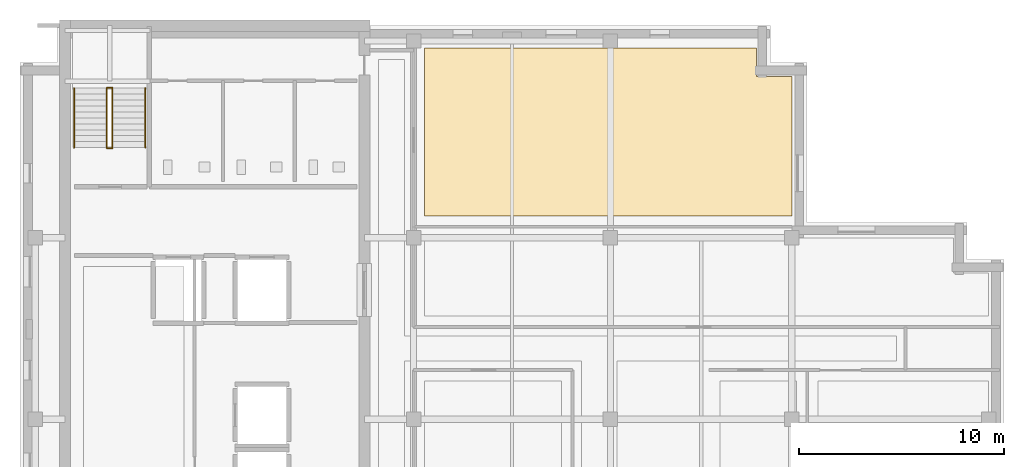
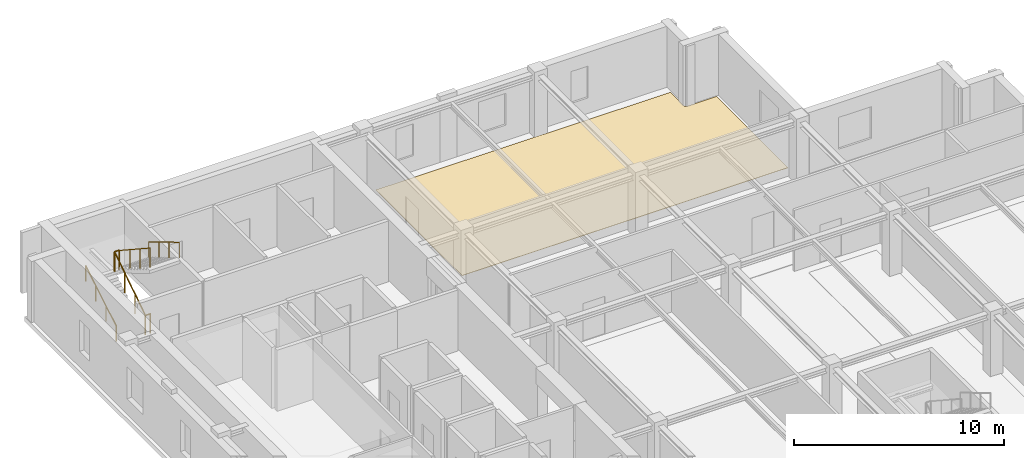
# One storey, part 9 of 11: 6 railings, 1 covering.
"""IFC4 building model written with IfcOpenShell, lengths in metres."""

from ifc_helpers import new_model, si_unit, direction, frame, origin, origin_2d, place, context, subcontext, project, spatial, polyline, circle, outline, extrude, material, layer, layer_set, type_object, element, save


model = new_model("IFC4")

# Units and contexts
model_context = context("Model", 3, precision=1e-05, world=origin(), true_north=direction((0.0, 1.0)))
body_context = subcontext(model_context, "Body", "Model", "MODEL_VIEW")
ifc_project = project(units=[si_unit("LENGTHUNIT", "METRE"), si_unit("AREAUNIT", "SQUARE_METRE"), si_unit("VOLUMEUNIT", "CUBIC_METRE"), si_unit("PLANEANGLEUNIT", "RADIAN"), si_unit("MASSUNIT", "GRAM", prefix="KILO")], contexts=[model_context])

# Site, building, storey
site_placement = place(None, origin())
site = spatial("IfcSite", under=ifc_project, at=site_placement, CompositionType="ELEMENT")
building_placement = place(site_placement, origin())
building = spatial("IfcBuilding", under=site, at=building_placement, Name="Norrvale University Quadrangle", CompositionType="ELEMENT")
storey_placement = place(building_placement, frame((0.0, 0.0, 300.0)))
storey = spatial("IfcBuildingStorey", under=building, at=storey_placement, Name="L76", CompositionType="ELEMENT", Elevation=300.0)

# Covering
ifc_material_1 = material(Name="Polished Terrazzo Flooring")
ifc_layer = layer(ifc_material_1, 0.02490234375, Name="Polished Terrazzo Flooring")
ifc_layer_set = layer_set([ifc_layer], Name="Polished Terrazzo Flooring")
covering_type = type_object("IfcCoveringType", Name="Covering Terrazzo Floor 30", PredefinedType="FLOORING", material=ifc_layer_set)
covering_placement = place(storey_placement, origin())
element("IfcCovering", 1, at=covering_placement, inside=storey, type_object=covering_type, Name="Terrazzo Flooring RM-L76-NE01", PredefinedType="FLOORING", context=body_context, shape_type="SweptSolid", body=[
    extrude(outline(polyline([(37.64990234375, 38.7099609375), (19.72998046875, 38.7099609375), (19.72998046875, 46.919921875), (35.929931640625, 46.919921875), (35.929931640625, 45.530029296875), (37.64990234375, 45.530029296875), (37.64990234375, 38.7099609375)])), origin(), (0.0, 0.0, 1.0), 0.02490234375),
])

# Railings
ifc_material_2 = material(Name="Steel 350W Painted Balustrade", Category="steel")
railing_type_1 = type_object("IfcRailingType", Name="Railing Stair Guard 1100", PredefinedType="GUARDRAIL", material=ifc_material_2)
for number, where, name in (
    (2, (4.239990234375, 42.02001953125, 0.0), "Stair Floor Well Guard ST-02 L76"),
    (3, (4.239990234375, 44.97998046875, 1.89990234375), "Stair Mid-Landing Slot Guard ST-02 L76"),
):
    element("IfcRailing", number, at=place(storey_placement, frame(where)), inside=storey, type_object=railing_type_1, Name=name, PredefinedType="GUARDRAIL", context=body_context, shape_type="SweptSolid", body=[
        extrude(circle(Radius=0.02392578125, at=origin_2d()), frame((0.0, 0.0, 1.1259765625), z_axis=(1.0, 0.0, 0.0), x_axis=(0.0, 1.0, 0.0)), (0.0, 0.0, 1.0), 0.27001953125),
        extrude(circle(Radius=0.02099609375, at=origin_2d()), origin(), (0.0, 0.0, 1.0), 1.101806640625),
        extrude(circle(Radius=0.02099609375, at=origin_2d()), frame((0.27001953125, 0.0, 0.0)), (0.0, 0.0, 1.0), 1.101806640625),
    ])
railing_1_placement = place(storey_placement, frame((4.239990234375, 42.050048828125, 0.0)))
element("IfcRailing", 4, at=railing_1_placement, inside=storey, type_object=railing_type_1, Name="Stair Lower Flight Inner Guard ST-02 L76", PredefinedType="GUARDRAIL", context=body_context, shape_type="SweptSolid", body=[
    extrude(circle(Radius=0.02392578125, at=origin_2d()), frame((0.0, 0.0, 1.1259765625), z_axis=(0.0, 0.836465582154, 0.548019461216), x_axis=(-1.0, 0.0, 0.0)), (0.0, 0.0, 1.0), 3.466796875),
    extrude(circle(Radius=0.02099609375, at=origin_2d()), origin(), (0.0, 0.0, 1.0), 1.101806640625),
    extrude(circle(Radius=0.02099609375, at=origin_2d()), frame((0.0, 0.966552734375, 0.63330078125)), (0.0, 0.0, 1.0), 1.101806640625),
    extrude(circle(Radius=0.02099609375, at=origin_2d()), frame((0.0, 1.933349609375, 1.2666015625)), (0.0, 0.0, 1.0), 1.101806640625),
    extrude(circle(Radius=0.02099609375, at=origin_2d()), frame((0.0, 2.89990234375, 1.89990234375)), (0.0, 0.0, 1.0), 1.101806640625),
])
railing_2_placement = place(storey_placement, frame((4.510009765625, 44.949951171875, 1.89990234375)))
element("IfcRailing", 5, at=railing_2_placement, inside=storey, type_object=railing_type_1, Name="Stair Upper Flight Inner Guard ST-02 L76", PredefinedType="GUARDRAIL", context=body_context, shape_type="SweptSolid", body=[
    extrude(circle(Radius=0.02392578125, at=origin_2d()), frame((0.0, 0.0, 1.1259765625), z_axis=(0.0, -0.836433300813, 0.548068730445), x_axis=(1.0, 0.0, 0.0)), (0.0, 0.0, 1.0), 3.467041015625),
    extrude(circle(Radius=0.02099609375, at=origin_2d()), origin(), (0.0, 0.0, 1.0), 1.101806640625),
    extrude(circle(Radius=0.02099609375, at=origin_2d()), frame((0.0, -0.966552734375, 0.63330078125)), (0.0, 0.0, 1.0), 1.101806640625),
    extrude(circle(Radius=0.02099609375, at=origin_2d()), frame((0.0, -1.933349609375, 1.266845703125)), (0.0, 0.0, 1.0), 1.101806640625),
    extrude(circle(Radius=0.02099609375, at=origin_2d()), frame((0.0, -2.89990234375, 1.900146484375)), (0.0, 0.0, 1.0), 1.101806640625),
])
ifc_material_3 = material(Name="Stainless Steel 316L Handrail", Category="steel")
railing_type_2 = type_object("IfcRailingType", Name="Railing Stair Handrail 920", PredefinedType="HANDRAIL", material=ifc_material_3)
railing_3_placement = place(storey_placement, frame((2.639892578125, 42.050048828125, 0.172607421875)))
element("IfcRailing", 6, at=railing_3_placement, inside=storey, type_object=railing_type_2, Name="Stair Lower Flight Handrail ST-02 L76", PredefinedType="HANDRAIL", context=body_context, shape_type="SweptSolid", body=[
    extrude(circle(Radius=0.02392578125, at=origin_2d()), frame((0.0, 0.0, 0.89599609375), z_axis=(0.0, 0.859141464434, 0.511738159696), x_axis=(-1.0, 0.0, 0.0)), (0.0, 0.0, 1.0), 3.375244140625),
    extrude(circle(Radius=0.02099609375, at=origin_2d()), origin(), (0.0, 0.0, 1.0), 0.871826171875),
    extrude(circle(Radius=0.02099609375, at=origin_2d()), frame((0.0, 0.966552734375, 0.57568359375)), (0.0, 0.0, 1.0), 0.871826171875),
    extrude(circle(Radius=0.02099609375, at=origin_2d()), frame((0.0, 1.933349609375, 1.151611328125)), (0.0, 0.0, 1.0), 0.871826171875),
    extrude(circle(Radius=0.02099609375, at=origin_2d()), frame((0.0, 2.89990234375, 1.727294921875)), (0.0, 0.0, 1.0), 0.871826171875),
])
railing_4_placement = place(storey_placement, frame((6.110107421875, 44.949951171875, 2.07275390625)))
element("IfcRailing", 7, at=railing_4_placement, inside=storey, type_object=railing_type_2, Name="Stair Upper Flight Handrail ST-02 L76", PredefinedType="HANDRAIL", context=body_context, shape_type="SweptSolid", body=[
    extrude(circle(Radius=0.02392578125, at=origin_2d()), frame((0.0, 0.0, 0.89599609375), z_axis=(0.0, -0.859141464434, 0.511738159696), x_axis=(1.0, 0.0, 0.0)), (0.0, 0.0, 1.0), 3.375244140625),
    extrude(circle(Radius=0.02099609375, at=origin_2d()), origin(), (0.0, 0.0, 1.0), 0.871826171875),
    extrude(circle(Radius=0.02099609375, at=origin_2d()), frame((0.0, -0.966552734375, 0.57568359375)), (0.0, 0.0, 1.0), 0.871826171875),
    extrude(circle(Radius=0.02099609375, at=origin_2d()), frame((0.0, -1.933349609375, 1.151611328125)), (0.0, 0.0, 1.0), 0.871826171875),
    extrude(circle(Radius=0.02099609375, at=origin_2d()), frame((0.0, -2.89990234375, 1.727294921875)), (0.0, 0.0, 1.0), 0.871826171875),
])

save(model, "model.ifc")
